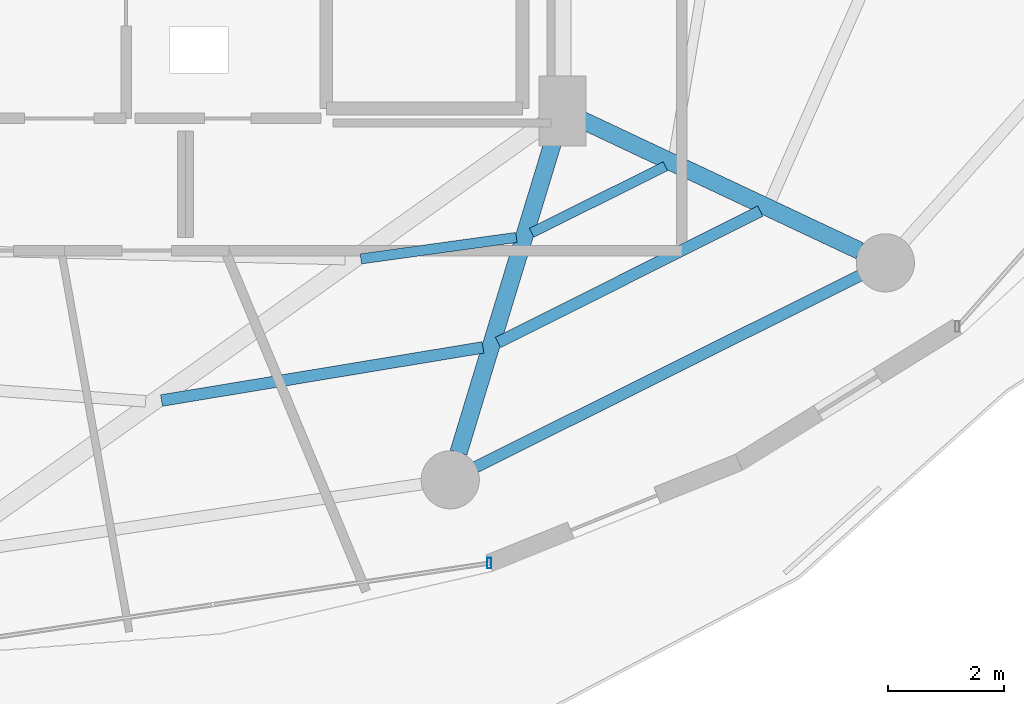
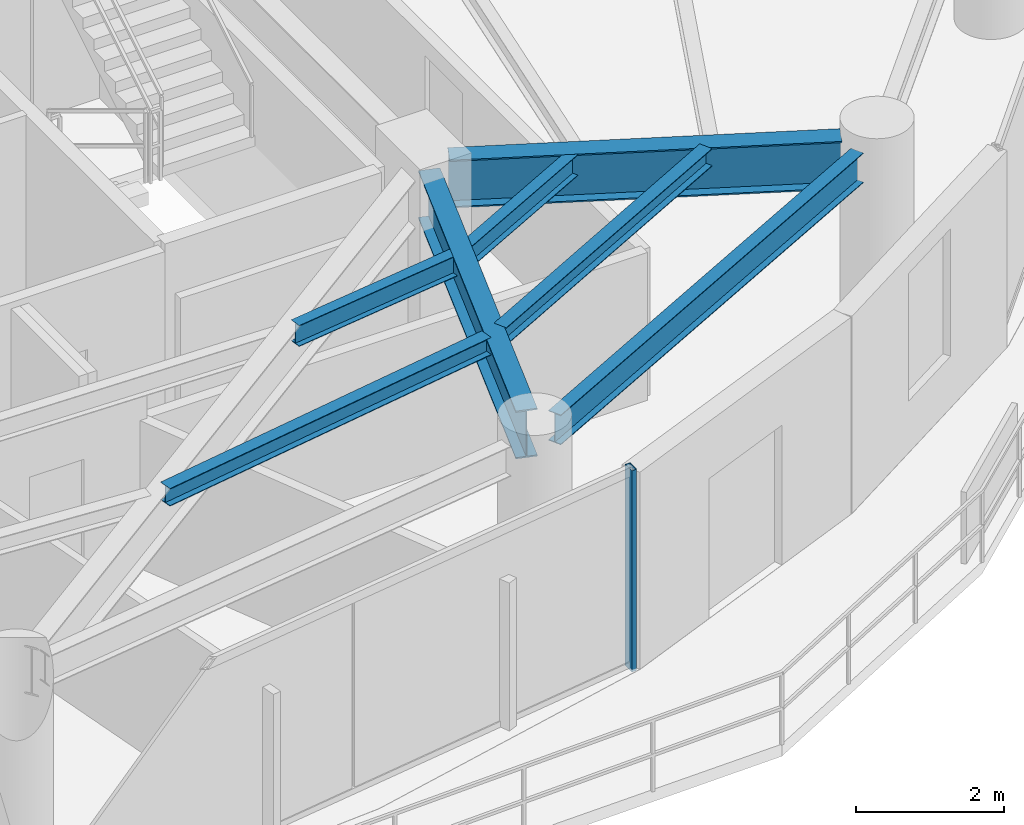
# One storey, part 11 of 29: 7 beams, 1 member, 1 element without a shape of its own.
"""IFC4 building model written with IfcOpenShell, lengths in metres."""

import ifcopenshell
import ifcopenshell.guid

model = None  # the IFC model being written
_history = None  # IfcOwnerHistory: only IFC2X3 demands one
_inside = {}  # id of a spatial element -> (the spatial element, [elements in it])
_under = {}  # id of a project, library or spatial element -> (it, [spatial elements below it])
_declared = {}  # id of a project -> (the project, [libraries it declares])
_typed = {}  # id of a type object -> (the type object, [elements of that type])
_made_of = {}  # id of a material, layer set ... -> (it, [elements and type objects made of it])


def new_model(schema):
    """Start an empty IFC model of exactly this schema.

    Asked for "IFC4X3", IfcOpenShell would pick the latest addendum, in which some entities
    have other attributes; the version numbers below select the first issue.
    IFC2X3 requires an IfcOwnerHistory on every rooted entity: one is made here for all.
    """
    global model, _history
    if schema == "IFC4X3":
        model = ifcopenshell.file(schema_version=(4, 3, 0, 0))
    else:
        model = ifcopenshell.file(schema=schema)
    _inside.clear()
    _under.clear()
    _declared.clear()
    _typed.clear()
    _made_of.clear()
    _history = None
    if model.schema == "IFC2X3":
        org = make("IfcOrganization", Name="unknown")
        user = make(
            "IfcPersonAndOrganization",
            ThePerson=make("IfcPerson", FamilyName="unknown"),
            TheOrganization=org,
        )
        app = make(
            "IfcApplication",
            ApplicationDeveloper=org,
            Version="unknown",
            ApplicationFullName="unknown",
            ApplicationIdentifier="unknown",
        )
        _history = make(
            "IfcOwnerHistory",
            OwningUser=user,
            OwningApplication=app,
            ChangeAction="ADDED",
            CreationDate=0,
        )
    return model


def make(cls, **values):
    """One entity of the class cls with the attributes given. An attribute that is None is left unset."""
    return model.create_entity(
        cls, **{name: value for name, value in values.items() if value is not None}
    )


def rooted(cls, **values):
    """An entity with a GlobalId (a new one), such as an element, a storey or a relation."""
    return make(cls, GlobalId=ifcopenshell.guid.new(), OwnerHistory=_history, **values)


def si_unit(unit_type, name, prefix=None):
    """IfcSIUnit, for example si_unit("LENGTHUNIT", "METRE", prefix="MILLI")."""
    return make("IfcSIUnit", UnitType=unit_type, Prefix=prefix, Name=name)


def assignment(units):
    """IfcUnitAssignment: the units of a project."""
    return None if units is None else make("IfcUnitAssignment", Units=units)


def point(xyz):
    """IfcCartesianPoint."""
    return None if xyz is None else make("IfcCartesianPoint", Coordinates=xyz)


def direction(xyz):
    """IfcDirection."""
    return None if xyz is None else make("IfcDirection", DirectionRatios=xyz)


def frame(location, z_axis=None, x_axis=None):
    """IfcAxis2Placement3D, a coordinate frame: its origin and axes. An axis left out is left unset."""
    return make(
        "IfcAxis2Placement3D",
        Location=point(location),
        Axis=direction(z_axis),
        RefDirection=direction(x_axis),
    )


def frame_2d(location, x_axis=None):
    """IfcAxis2Placement2D, a coordinate frame in the plane: its origin and x axis."""
    return make(
        "IfcAxis2Placement2D", Location=point(location), RefDirection=direction(x_axis)
    )


def origin():
    """The frame at (0, 0, 0) with its axes left unset."""
    return frame((0.0, 0.0, 0.0))


def origin_2d():
    """The frame at (0, 0) in the plane with its x axis left unset."""
    return frame_2d((0.0, 0.0))


def place(relative_to, where):
    """IfcLocalPlacement: puts the frame where relative to a parent placement (None: the world)."""
    return make(
        "IfcLocalPlacement", PlacementRelTo=relative_to, RelativePlacement=where
    )


def context(
    kind, dimensions, precision=None, world=None, true_north=None, identifier=None
):
    """IfcGeometricRepresentationContext, for example the 3D "Model" context."""
    return make(
        "IfcGeometricRepresentationContext",
        ContextIdentifier=identifier,
        ContextType=kind,
        CoordinateSpaceDimension=dimensions,
        Precision=precision,
        WorldCoordinateSystem=world,
        TrueNorth=true_north,
    )


def subcontext(parent, identifier, kind, view, scale=None):
    """IfcGeometricRepresentationSubContext, for example "Body" below "Model"."""
    return make(
        "IfcGeometricRepresentationSubContext",
        ContextIdentifier=identifier,
        ContextType=kind,
        ParentContext=parent,
        TargetScale=scale,
        TargetView=view,
    )


def project(units=None, contexts=None):
    """IfcProject with its units and contexts."""
    return rooted(
        "IfcProject",
        Name="project",
        RepresentationContexts=contexts,
        UnitsInContext=assignment(units),
    )


def spatial(cls, under=None, at=None, **own):
    """A site, building, storey or space (cls), placed at a placement, below another one or the project."""
    s = rooted(cls, ObjectPlacement=at, **own)
    if under is not None:
        _under.setdefault(under.id(), (under, []))[1].append(s)
    return s


def profile(cls, at=None, kind="AREA", **sizes):
    """A parametric profile (cls). Its sizes go by their IFC names, for example OverallWidth=200.0."""
    return make(cls, ProfileType=kind, Position=at, **sizes)


def hollow_rectangle(**sizes):
    """IfcRectangleHollowProfileDef."""
    return profile("IfcRectangleHollowProfileDef", **sizes)


def i_section(**sizes):
    """IfcIShapeProfileDef."""
    return profile("IfcIShapeProfileDef", **sizes)


def extrude(swept, where, along, depth):
    """IfcExtrudedAreaSolid: the profile swept, set in the frame where, extruded along a direction by depth."""
    return make(
        "IfcExtrudedAreaSolid",
        SweptArea=swept,
        Position=where,
        ExtrudedDirection=direction(along),
        Depth=depth,
    )


def shape(context_of_items, identifier, shape_type, items):
    """IfcShapeRepresentation: the items that make up one representation, for example the "Body"."""
    return make(
        "IfcShapeRepresentation",
        ContextOfItems=context_of_items,
        RepresentationIdentifier=identifier,
        RepresentationType=shape_type,
        Items=items,
    )


def material(Name=None, Category=None):
    """IfcMaterial."""
    return make("IfcMaterial", Name=Name, Category=Category)


def material_profile(
    of_material, cross_section, Name=None, Category=None, Priority=None
):
    """IfcMaterialProfile: a cross section and its material."""
    return make(
        "IfcMaterialProfile",
        Name=Name,
        Material=of_material,
        Profile=cross_section,
        Priority=Priority,
        Category=Category,
    )


def profile_set(profiles, Name=None, composite=None):
    """IfcMaterialProfileSet."""
    return make(
        "IfcMaterialProfileSet",
        Name=Name,
        MaterialProfiles=profiles,
        CompositeProfile=composite,
    )


def made_of(thing, what):
    """Note that an element or type object is made of a material, layer set ...; save() writes the relation."""
    if what is not None:
        _made_of.setdefault(what.id(), (what, []))[1].append(thing)
    return thing


def type_object(cls, material=None, **own):
    """A type object (cls), such as IfcWallType, which elements share."""
    return made_of(rooted(cls, **own), material)


def element(
    cls,
    number,
    at=None,
    inside=None,
    cuts=None,
    type_object=None,
    material=None,
    context=None,
    identifier="Body",
    shape_type=None,
    held_by="IfcProductDefinitionShape",
    body=None,
    shapes=None,
    **own,
):
    """One element of the class cls, such as IfcWall. Its Tag is "e" and its number.

    at: its placement. inside: the storey or other place that contains it. cuts: it is an
    opening in that element (IfcRelVoidsElement). A single representation is given by context,
    identifier, shape_type and body (its items); several are given by shapes. held_by: the class
    of the entity that holds the representations. save() writes the other relations.
    """
    e = rooted(cls, Tag="e%d" % number, ObjectPlacement=at, **own)
    if body is not None:
        shapes = [shape(context, identifier, shape_type, body)]
    if shapes is not None:
        e.Representation = make(held_by, Representations=shapes)
    if inside is not None:
        _inside.setdefault(inside.id(), (inside, []))[1].append(e)
    if cuts is not None:
        rooted(
            "IfcRelVoidsElement", RelatingBuildingElement=cuts, RelatedOpeningElement=e
        )
    if type_object is not None:
        _typed.setdefault(type_object.id(), (type_object, []))[1].append(e)
    return made_of(e, material)


def aggregate(whole, parts):
    """IfcRelAggregates: a whole, such as a stair, and the parts it consists of."""
    return rooted("IfcRelAggregates", RelatingObject=whole, RelatedObjects=parts)


def save(model, path):
    """Write the relations noted so far, then the file.

    IfcRelAggregates (storeys below a building ...), IfcRelContainedInSpatialStructure (elements
    in a storey), IfcRelDefinesByType, IfcRelAssociatesMaterial and IfcRelDeclares: one each for
    every whole, place, type object, material and project.
    """
    for whole, parts in _under.values():
        aggregate(whole, parts)
    for where, things in _inside.values():
        rooted(
            "IfcRelContainedInSpatialStructure",
            RelatedElements=things,
            RelatingStructure=where,
        )
    for kind, things in _typed.values():
        rooted("IfcRelDefinesByType", RelatedObjects=things, RelatingType=kind)
    for what, things in _made_of.values():
        rooted("IfcRelAssociatesMaterial", RelatedObjects=things, RelatingMaterial=what)
    for by, libraries in _declared.values():
        rooted("IfcRelDeclares", RelatingContext=by, RelatedDefinitions=libraries)
    model.write(path)


model = new_model("IFC4")

# Units and contexts
model_context = context("Model", 3, precision=1e-05, world=origin(), true_north=direction((0.0, 1.0)))
body_context = subcontext(model_context, "Body", "Model", "MODEL_VIEW")
ifc_project = project(units=[si_unit("LENGTHUNIT", "METRE"), si_unit("AREAUNIT", "SQUARE_METRE"), si_unit("VOLUMEUNIT", "CUBIC_METRE"), si_unit("PLANEANGLEUNIT", "RADIAN"), si_unit("MASSUNIT", "GRAM", prefix="KILO")], contexts=[model_context])

# Site, building, storey
site_placement = place(None, origin())
site = spatial("IfcSite", under=ifc_project, at=site_placement, CompositionType="ELEMENT")
building_placement = place(site_placement, origin())
building = spatial("IfcBuilding", under=site, at=building_placement, Name="Vorneva Point Tower", CompositionType="ELEMENT")
storey_placement = place(building_placement, frame((0.0, 0.0, 167.60009765625)))
storey = spatial("IfcBuildingStorey", under=building, at=storey_placement, Name="L45", CompositionType="ELEMENT", Elevation=167.60009765625)

# Beams
ifc_material_1 = material(Name="Steel S355", Category="steel")
ifc_material_profile_1 = material_profile(ifc_material_1, i_section(OverallWidth=0.300048828125, OverallDepth=0.7880859375, WebThickness=0.014404296875, FlangeThickness=0.02197265625, at=origin_2d()), Name="80Sh1")
ifc_profile_set_1 = profile_set([ifc_material_profile_1], Name="Steel S355")
beam_type_1 = type_object("IfcBeamType", Name="BM-GRD-80Sh1", PredefinedType="USERDEFINED", material=ifc_profile_set_1)
beam_1_placement = place(storey_placement, frame((46.962890625, 10.576171875, 2.845947265625), z_axis=(0.291049382966, 0.95670803105, 0.0), x_axis=(-0.95670803105, 0.291049382966, 0.0)))
element("IfcBeam", 1, at=beam_1_placement, inside=storey, type_object=beam_type_1, Name="L45 Radial Primary Girder 14", ObjectType="GIRDER", PredefinedType="USERDEFINED", context=body_context, shape_type="SweptSolid", body=[
    extrude(i_section(OverallWidth=0.300048828125, OverallDepth=0.7880859375, WebThickness=0.014404296875, FlangeThickness=0.02197265625, at=origin_2d()), origin(), (0.0, 0.0, 1.0), 5.799560546875),
])
beam_2_placement = place(storey_placement, frame((53.857421875, 14.045654296875, 2.845947265625), z_axis=(-0.904761331435, 0.425918927896, 0.0), x_axis=(-0.425918927896, -0.904761331435, 0.0)))
element("IfcBeam", 2, at=beam_2_placement, inside=storey, type_object=beam_type_1, Name="L45 Radial Primary Girder 15", ObjectType="GIRDER", PredefinedType="USERDEFINED", context=body_context, shape_type="SweptSolid", body=[
    extrude(i_section(OverallWidth=0.300048828125, OverallDepth=0.7880859375, WebThickness=0.014404296875, FlangeThickness=0.02197265625, at=origin_2d()), origin(), (0.0, 0.0, 1.0), 5.304931640625),
])
ifc_material_profile_2 = material_profile(ifc_material_1, i_section(OverallWidth=0.199951171875, OverallDepth=0.291015625, WebThickness=0.008056640625, FlangeThickness=0.010986328125, at=origin_2d()), Name="30Sh1")
ifc_profile_set_2 = profile_set([ifc_material_profile_2], Name="Steel S355")
beam_type_2 = type_object("IfcBeamType", Name="BM-SEC-30Sh1", PredefinedType="BEAM", material=ifc_profile_set_2)
beam_3_placement = place(storey_placement, frame((41.858642578125, 11.471435546875, 3.094482421875), z_axis=(0.986611034558, 0.163090976107, 0.0), x_axis=(-0.163090976107, 0.986611034558, 0.0)))
element("IfcBeam", 3, at=beam_3_placement, inside=storey, type_object=beam_type_2, Name="L45 Secondary Floor Beam 1.13", PredefinedType="BEAM", context=body_context, shape_type="SweptSolid", body=[
    extrude(i_section(OverallWidth=0.199951171875, OverallDepth=0.291015625, WebThickness=0.008056640625, FlangeThickness=0.010986328125, at=origin_2d()), origin(), (0.0, 0.0, 1.0), 5.60009765625),
])
beam_4_placement = place(storey_placement, frame((47.643310546875, 12.468994140625, 3.094482421875), z_axis=(0.893855059999, 0.448356032316, 0.0), x_axis=(-0.448356032316, 0.893855059999, 0.0)))
element("IfcBeam", 4, at=beam_4_placement, inside=storey, type_object=beam_type_2, Name="L45 Secondary Floor Beam 1.14", PredefinedType="BEAM", context=body_context, shape_type="SweptSolid", body=[
    extrude(i_section(OverallWidth=0.199951171875, OverallDepth=0.291015625, WebThickness=0.008056640625, FlangeThickness=0.010986328125, at=origin_2d()), origin(), (0.0, 0.0, 1.0), 5.041748046875),
])
ifc_material_profile_3 = material_profile(ifc_material_1, i_section(OverallWidth=0.174072265625, OverallDepth=0.345947265625, WebThickness=0.006103515625, FlangeThickness=0.009033203125, at=origin_2d()), Name="35B1")
ifc_profile_set_3 = profile_set([ifc_material_profile_3], Name="Steel S355")
beam_type_3 = type_object("IfcBeamType", Name="BM-SEC-35B1", PredefinedType="BEAM", material=ifc_profile_set_3)
beam_5_placement = place(storey_placement, frame((45.284912109375, 13.90576171875, 3.06689453125), z_axis=(0.990594076533, 0.136833386051, 0.0), x_axis=(-0.136833386051, 0.990594076533, 0.0)))
element("IfcBeam", 5, at=beam_5_placement, inside=storey, type_object=beam_type_3, Name="L45 Secondary Floor Beam 2.13", PredefinedType="BEAM", context=body_context, shape_type="SweptSolid", body=[
    extrude(i_section(OverallWidth=0.174072265625, OverallDepth=0.345947265625, WebThickness=0.006103515625, FlangeThickness=0.009033203125, at=origin_2d()), origin(), (0.0, 0.0, 1.0), 2.69775390625),
])
beam_6_placement = place(storey_placement, frame((48.217529296875, 14.35498046875, 3.06689453125), z_axis=(0.895489131745, 0.445083379746, 0.0), x_axis=(-0.445083379746, 0.895489131745, 0.0)))
element("IfcBeam", 6, at=beam_6_placement, inside=storey, type_object=beam_type_3, Name="L45 Secondary Floor Beam 2.14", PredefinedType="BEAM", context=body_context, shape_type="SweptSolid", body=[
    extrude(i_section(OverallWidth=0.174072265625, OverallDepth=0.345947265625, WebThickness=0.006103515625, FlangeThickness=0.009033203125, at=origin_2d()), origin(), (0.0, 0.0, 1.0), 2.56884765625),
])
ifc_material_profile_4 = material_profile(ifc_material_1, i_section(OverallWidth=0.199951171875, OverallDepth=0.491943359375, WebThickness=0.0087890625, FlangeThickness=0.011962890625, at=origin_2d()), Name="50B1")
ifc_profile_set_4 = profile_set([ifc_material_profile_4], Name="Steel S355")
beam_type_4 = type_object("IfcBeamType", Name="BM-SPN-50B1", PredefinedType="SPANDREL", material=ifc_profile_set_4)
beam_7_placement = place(storey_placement, frame((47.2548828125, 10.32568359375, 2.993896484375), z_axis=(0.894929061397, 0.446208443518, 0.0), x_axis=(-0.446208443518, 0.894929061397, 0.0)))
element("IfcBeam", 7, at=beam_7_placement, inside=storey, type_object=beam_type_4, Name="L45 Perimeter Spandrel Ring Beam 14", PredefinedType="SPANDREL", context=body_context, shape_type="SweptSolid", body=[
    extrude(i_section(OverallWidth=0.199951171875, OverallDepth=0.491943359375, WebThickness=0.0087890625, FlangeThickness=0.011962890625, at=origin_2d()), origin(), (0.0, 0.0, 1.0), 7.385986328125),
])

# Curtain wall, member
ifc_material_2 = material(Name="Pale anodised aluminium", Category="aluminium")
curtain_wall_type = type_object("IfcCurtainWallType", Name="CW-RES-SYS", PredefinedType="NOTDEFINED", material=ifc_material_2)
curtain_wall_placement = place(storey_placement, origin())
curtain_wall = element("IfcCurtainWall", 8, at=curtain_wall_placement, inside=storey, type_object=curtain_wall_type, Name="L45 Unitised Curtain Wall CW-L45-R04", PredefinedType="NOTDEFINED")
ifc_material_profile_5 = material_profile(ifc_material_2, hollow_rectangle(XDim=0.074951171875, YDim=0.179931640625, WallThickness=0.00390625, at=origin_2d()), Name="AL-MUL 180x75x4")
ifc_profile_set_5 = profile_set([ifc_material_profile_5], Name="Pale anodised aluminium")
member_type = type_object("IfcMemberType", Name="CW-MUL-180", PredefinedType="MULLION", material=ifc_profile_set_5)
member_placement = place(storey_placement, frame((47.490478515625, 8.67724609375, -0.0400390625), z_axis=(0.0, 0.0, 1.0), x_axis=(1.0, 0.0, 0.0)))
member = element("IfcMember", 9, at=member_placement, type_object=member_type, Name="CW-L45-R04 Mullion 04", PredefinedType="MULLION", context=body_context, shape_type="SweptSolid", body=[
    extrude(hollow_rectangle(XDim=0.074951171875, YDim=0.179931640625, WallThickness=0.00390625, at=origin_2d()), origin(), (0.0, 0.0, 1.0), 3.31005859375),
])
aggregate(curtain_wall, [member])

save(model, "model.ifc")
